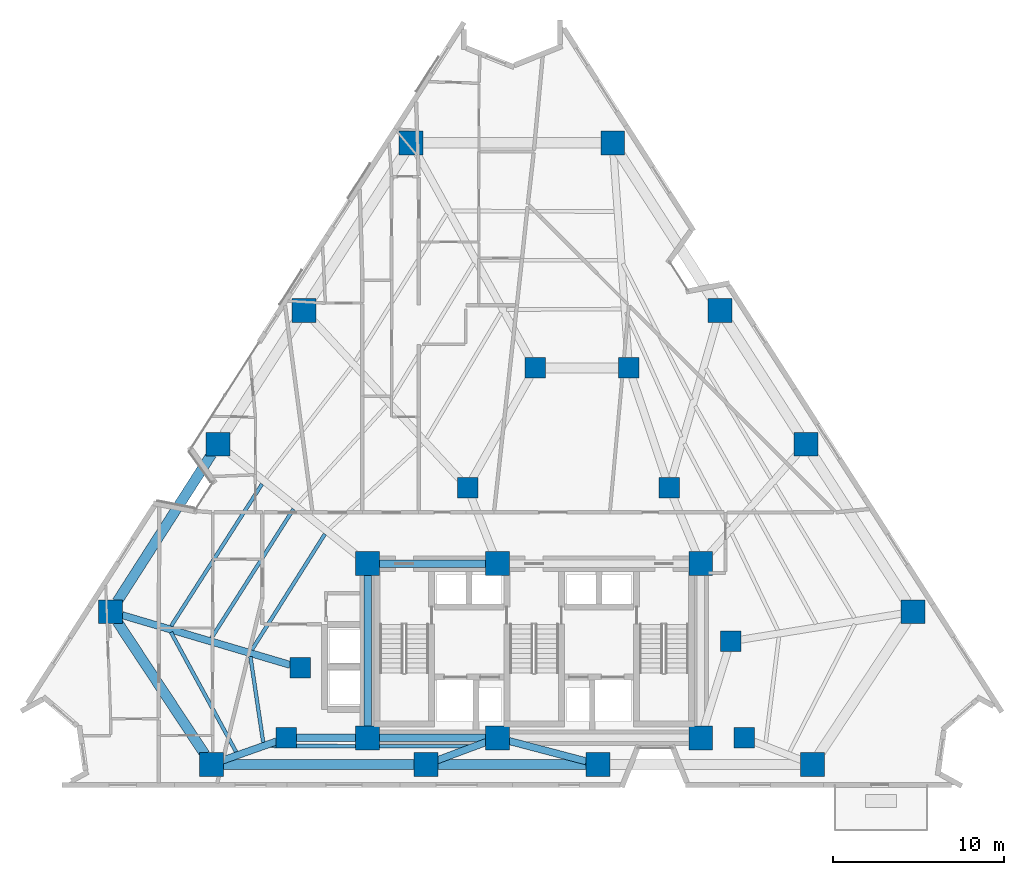
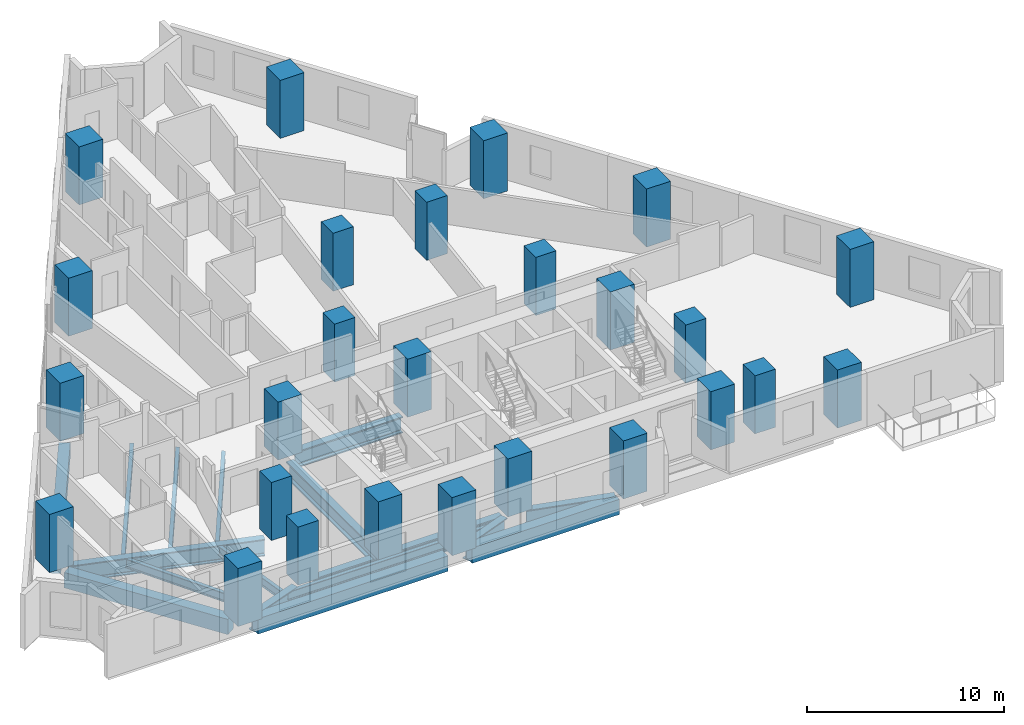
# One storey, part 1 of 13: 26 columns, 18 beams.
"""IFC4 building model written with IfcOpenShell, lengths in metres."""

import ifcopenshell
import ifcopenshell.guid

model = None  # the IFC model being written
_history = None  # IfcOwnerHistory: only IFC2X3 demands one
_inside = {}  # id of a spatial element -> (the spatial element, [elements in it])
_under = {}  # id of a project, library or spatial element -> (it, [spatial elements below it])
_declared = {}  # id of a project -> (the project, [libraries it declares])
_typed = {}  # id of a type object -> (the type object, [elements of that type])
_made_of = {}  # id of a material, layer set ... -> (it, [elements and type objects made of it])


def new_model(schema):
    """Start an empty IFC model of exactly this schema.

    Asked for "IFC4X3", IfcOpenShell would pick the latest addendum, in which some entities
    have other attributes; the version numbers below select the first issue.
    IFC2X3 requires an IfcOwnerHistory on every rooted entity: one is made here for all.
    """
    global model, _history
    if schema == "IFC4X3":
        model = ifcopenshell.file(schema_version=(4, 3, 0, 0))
    else:
        model = ifcopenshell.file(schema=schema)
    _inside.clear()
    _under.clear()
    _declared.clear()
    _typed.clear()
    _made_of.clear()
    _history = None
    if model.schema == "IFC2X3":
        org = make("IfcOrganization", Name="unknown")
        user = make(
            "IfcPersonAndOrganization",
            ThePerson=make("IfcPerson", FamilyName="unknown"),
            TheOrganization=org,
        )
        app = make(
            "IfcApplication",
            ApplicationDeveloper=org,
            Version="unknown",
            ApplicationFullName="unknown",
            ApplicationIdentifier="unknown",
        )
        _history = make(
            "IfcOwnerHistory",
            OwningUser=user,
            OwningApplication=app,
            ChangeAction="ADDED",
            CreationDate=0,
        )
    return model


def make(cls, **values):
    """One entity of the class cls with the attributes given. An attribute that is None is left unset."""
    return model.create_entity(
        cls, **{name: value for name, value in values.items() if value is not None}
    )


def rooted(cls, **values):
    """An entity with a GlobalId (a new one), such as an element, a storey or a relation."""
    return make(cls, GlobalId=ifcopenshell.guid.new(), OwnerHistory=_history, **values)


def si_unit(unit_type, name, prefix=None):
    """IfcSIUnit, for example si_unit("LENGTHUNIT", "METRE", prefix="MILLI")."""
    return make("IfcSIUnit", UnitType=unit_type, Prefix=prefix, Name=name)


def assignment(units):
    """IfcUnitAssignment: the units of a project."""
    return None if units is None else make("IfcUnitAssignment", Units=units)


def point(xyz):
    """IfcCartesianPoint."""
    return None if xyz is None else make("IfcCartesianPoint", Coordinates=xyz)


def direction(xyz):
    """IfcDirection."""
    return None if xyz is None else make("IfcDirection", DirectionRatios=xyz)


def frame(location, z_axis=None, x_axis=None):
    """IfcAxis2Placement3D, a coordinate frame: its origin and axes. An axis left out is left unset."""
    return make(
        "IfcAxis2Placement3D",
        Location=point(location),
        Axis=direction(z_axis),
        RefDirection=direction(x_axis),
    )


def frame_2d(location, x_axis=None):
    """IfcAxis2Placement2D, a coordinate frame in the plane: its origin and x axis."""
    return make(
        "IfcAxis2Placement2D", Location=point(location), RefDirection=direction(x_axis)
    )


def origin():
    """The frame at (0, 0, 0) with its axes left unset."""
    return frame((0.0, 0.0, 0.0))


def origin_2d():
    """The frame at (0, 0) in the plane with its x axis left unset."""
    return frame_2d((0.0, 0.0))


def place(relative_to, where):
    """IfcLocalPlacement: puts the frame where relative to a parent placement (None: the world)."""
    return make(
        "IfcLocalPlacement", PlacementRelTo=relative_to, RelativePlacement=where
    )


def context(
    kind, dimensions, precision=None, world=None, true_north=None, identifier=None
):
    """IfcGeometricRepresentationContext, for example the 3D "Model" context."""
    return make(
        "IfcGeometricRepresentationContext",
        ContextIdentifier=identifier,
        ContextType=kind,
        CoordinateSpaceDimension=dimensions,
        Precision=precision,
        WorldCoordinateSystem=world,
        TrueNorth=true_north,
    )


def subcontext(parent, identifier, kind, view, scale=None):
    """IfcGeometricRepresentationSubContext, for example "Body" below "Model"."""
    return make(
        "IfcGeometricRepresentationSubContext",
        ContextIdentifier=identifier,
        ContextType=kind,
        ParentContext=parent,
        TargetScale=scale,
        TargetView=view,
    )


def project(units=None, contexts=None):
    """IfcProject with its units and contexts."""
    return rooted(
        "IfcProject",
        Name="project",
        RepresentationContexts=contexts,
        UnitsInContext=assignment(units),
    )


def spatial(cls, under=None, at=None, **own):
    """A site, building, storey or space (cls), placed at a placement, below another one or the project."""
    s = rooted(cls, ObjectPlacement=at, **own)
    if under is not None:
        _under.setdefault(under.id(), (under, []))[1].append(s)
    return s


def profile(cls, at=None, kind="AREA", **sizes):
    """A parametric profile (cls). Its sizes go by their IFC names, for example OverallWidth=200.0."""
    return make(cls, ProfileType=kind, Position=at, **sizes)


def rectangle(**sizes):
    """IfcRectangleProfileDef."""
    return profile("IfcRectangleProfileDef", **sizes)


def i_section(**sizes):
    """IfcIShapeProfileDef."""
    return profile("IfcIShapeProfileDef", **sizes)


def extrude(swept, where, along, depth):
    """IfcExtrudedAreaSolid: the profile swept, set in the frame where, extruded along a direction by depth."""
    return make(
        "IfcExtrudedAreaSolid",
        SweptArea=swept,
        Position=where,
        ExtrudedDirection=direction(along),
        Depth=depth,
    )


def shape(context_of_items, identifier, shape_type, items):
    """IfcShapeRepresentation: the items that make up one representation, for example the "Body"."""
    return make(
        "IfcShapeRepresentation",
        ContextOfItems=context_of_items,
        RepresentationIdentifier=identifier,
        RepresentationType=shape_type,
        Items=items,
    )


def material(Name=None, Category=None):
    """IfcMaterial."""
    return make("IfcMaterial", Name=Name, Category=Category)


def material_profile(
    of_material, cross_section, Name=None, Category=None, Priority=None
):
    """IfcMaterialProfile: a cross section and its material."""
    return make(
        "IfcMaterialProfile",
        Name=Name,
        Material=of_material,
        Profile=cross_section,
        Priority=Priority,
        Category=Category,
    )


def profile_set(profiles, Name=None, composite=None):
    """IfcMaterialProfileSet."""
    return make(
        "IfcMaterialProfileSet",
        Name=Name,
        MaterialProfiles=profiles,
        CompositeProfile=composite,
    )


def made_of(thing, what):
    """Note that an element or type object is made of a material, layer set ...; save() writes the relation."""
    if what is not None:
        _made_of.setdefault(what.id(), (what, []))[1].append(thing)
    return thing


def type_object(cls, material=None, **own):
    """A type object (cls), such as IfcWallType, which elements share."""
    return made_of(rooted(cls, **own), material)


def element(
    cls,
    number,
    at=None,
    inside=None,
    cuts=None,
    type_object=None,
    material=None,
    context=None,
    identifier="Body",
    shape_type=None,
    held_by="IfcProductDefinitionShape",
    body=None,
    shapes=None,
    **own,
):
    """One element of the class cls, such as IfcWall. Its Tag is "e" and its number.

    at: its placement. inside: the storey or other place that contains it. cuts: it is an
    opening in that element (IfcRelVoidsElement). A single representation is given by context,
    identifier, shape_type and body (its items); several are given by shapes. held_by: the class
    of the entity that holds the representations. save() writes the other relations.
    """
    e = rooted(cls, Tag="e%d" % number, ObjectPlacement=at, **own)
    if body is not None:
        shapes = [shape(context, identifier, shape_type, body)]
    if shapes is not None:
        e.Representation = make(held_by, Representations=shapes)
    if inside is not None:
        _inside.setdefault(inside.id(), (inside, []))[1].append(e)
    if cuts is not None:
        rooted(
            "IfcRelVoidsElement", RelatingBuildingElement=cuts, RelatedOpeningElement=e
        )
    if type_object is not None:
        _typed.setdefault(type_object.id(), (type_object, []))[1].append(e)
    return made_of(e, material)


def aggregate(whole, parts):
    """IfcRelAggregates: a whole, such as a stair, and the parts it consists of."""
    return rooted("IfcRelAggregates", RelatingObject=whole, RelatedObjects=parts)


def save(model, path):
    """Write the relations noted so far, then the file.

    IfcRelAggregates (storeys below a building ...), IfcRelContainedInSpatialStructure (elements
    in a storey), IfcRelDefinesByType, IfcRelAssociatesMaterial and IfcRelDeclares: one each for
    every whole, place, type object, material and project.
    """
    for whole, parts in _under.values():
        aggregate(whole, parts)
    for where, things in _inside.values():
        rooted(
            "IfcRelContainedInSpatialStructure",
            RelatedElements=things,
            RelatingStructure=where,
        )
    for kind, things in _typed.values():
        rooted("IfcRelDefinesByType", RelatedObjects=things, RelatingType=kind)
    for what, things in _made_of.values():
        rooted("IfcRelAssociatesMaterial", RelatedObjects=things, RelatingMaterial=what)
    for by, libraries in _declared.values():
        rooted("IfcRelDeclares", RelatingContext=by, RelatedDefinitions=libraries)
    model.write(path)


model = new_model("IFC4")

# Units and contexts
model_context = context("Model", 3, precision=1e-05, world=origin(), true_north=direction((0.0, 1.0)))
body_context = subcontext(model_context, "Body", "Model", "MODEL_VIEW")
ifc_project = project(units=[si_unit("LENGTHUNIT", "METRE"), si_unit("AREAUNIT", "SQUARE_METRE"), si_unit("VOLUMEUNIT", "CUBIC_METRE"), si_unit("PLANEANGLEUNIT", "RADIAN"), si_unit("MASSUNIT", "GRAM", prefix="KILO")], contexts=[model_context])

# Site, building, storey
site_placement = place(None, origin())
site = spatial("IfcSite", under=ifc_project, at=site_placement, CompositionType="ELEMENT")
building_placement = place(site_placement, origin())
building = spatial("IfcBuilding", under=site, at=building_placement, Name="Almagre Mirador Tower", CompositionType="ELEMENT")
storey_placement = place(building_placement, frame((0.0, 0.0, 42.60009765625)))
storey = spatial("IfcBuildingStorey", under=building, at=storey_placement, Name="L09", CompositionType="ELEMENT", Elevation=42.60009765625)

# Columns
ifc_material_1 = material(Name="Concrete C60/75", Category="concrete")
ifc_material_profile_1 = material_profile(ifc_material_1, rectangle(XDim=1.199951171875, YDim=1.199951171875, at=origin_2d()), Name="RC1200X1200")
ifc_profile_set_1 = profile_set([ifc_material_profile_1], Name="Concrete C60/75")
column_type_1 = type_object("IfcColumnType", Name="COL-RC1200", PredefinedType="COLUMN", material=ifc_profile_set_1)
for number, where, z_axis, x_axis, name in (
    (1, (22.800048828125, 4.550048828125, 0.0), (0.0, 0.0, 1.0), (1.0, 0.0, 0.0), "L09 interior transfer column MC1"),
    (2, (49.60009765625, 4.550048828125, 0.0), (0.0, 0.0, 1.0), (1.0, 0.0, 0.0), "L09 interior transfer column MC2"),
    (3, (48.800048828125, 10.199951171875, 0.0), (0.0, 0.0, 1.0), (1.0, 0.0, 0.0), "L09 interior transfer column MC3"),
    (4, (45.199951171875, 19.199951171875, 0.0), (0.0, 0.0, 1.0), (1.0, 0.0, 0.0), "L09 interior transfer column MC5"),
    (5, (42.85009765625, 26.199951171875, 0.0), (0.0, 0.0, 1.0), (1.0, 0.0, 0.0), "L09 interior transfer column MC6"),
    (6, (37.35009765625, 26.199951171875, 0.0), (0.0, 0.0, 1.0), (1.0, 0.0, 0.0), "L09 interior transfer column MC7"),
    (7, (33.39990234375, 19.199951171875, 0.0), (0.0, 0.0, 1.0), (1.0, 0.0, 0.0), "L09 interior transfer column MC8"),
    (8, (23.60009765625, 8.64990234375, 0.0), (0.0, 0.0, 1.0), (1.0, 0.0, 0.0), "L09 interior transfer column MC10"),
):
    element("IfcColumn", number, at=place(storey_placement, frame(where, z_axis=z_axis, x_axis=x_axis)), inside=storey, type_object=column_type_1, Name=name, PredefinedType="COLUMN", context=body_context, shape_type="SweptSolid", body=[
        extrude(rectangle(XDim=1.199951171875, YDim=1.199951171875, at=origin_2d()), origin(), (0.0, 0.0, 1.0), 3.599853515625),
    ])
ifc_material_2 = material(Name="Concrete C60/75", Category="concrete")
ifc_material_profile_2 = material_profile(ifc_material_2, rectangle(XDim=1.39990234375, YDim=1.39990234375, at=origin_2d()), Name="RC1400X1400")
ifc_profile_set_2 = profile_set([ifc_material_profile_2], Name="Concrete C60/75")
column_type_2 = type_object("IfcColumnType", Name="COL-RC1400", PredefinedType="COLUMN", material=ifc_profile_set_2)
for number, where, z_axis, x_axis, name in (
    (9, (27.550048828125, 4.550048828125, 0.0), (0.0, 0.0, 1.0), (1.0, 0.0, 0.0), "L09 core spine column CC1"),
    (10, (35.14990234375, 4.550048828125, 0.0), (0.0, 0.0, 1.0), (1.0, 0.0, 0.0), "L09 core spine column CC2"),
    (11, (47.050048828125, 4.550048828125, 0.0), (0.0, 0.0, 1.0), (1.0, 0.0, 0.0), "L09 core spine column CC3"),
    (12, (27.550048828125, 14.75, 0.0), (0.0, 0.0, 1.0), (1.0, 0.0, 0.0), "L09 core spine column CC4"),
    (13, (35.14990234375, 14.75, 0.0), (0.0, 0.0, 1.0), (1.0, 0.0, 0.0), "L09 core spine column CC5"),
    (14, (47.050048828125, 14.75, 0.0), (0.0, 0.0, 1.0), (1.0, 0.0, 0.0), "L09 core spine column CC6"),
    (15, (18.416015625, 3.0, 0.0), (0.0, 0.0, 1.0), (1.0, 0.0, 0.0), "L09 perimeter column PC01"),
    (16, (30.97607421875, 3.0, 0.0), (0.0, 0.0, 1.0), (1.0, 0.0, 0.0), "L09 perimeter column PC02"),
    (17, (41.02392578125, 3.0, 0.0), (0.0, 0.0, 1.0), (1.0, 0.0, 0.0), "L09 perimeter column PC03"),
    (18, (53.583984375, 3.0, 0.0), (0.0, 0.0, 1.0), (1.0, 0.0, 0.0), "L09 perimeter column PC04"),
    (19, (59.48193359375, 11.93310546875, 0.0), (0.0, 0.0, 1.0), (1.0, 0.0, 0.0), "L09 perimeter column PC05"),
    (20, (53.201904296875, 21.73291015625, 0.0), (0.0, 0.0, 1.0), (1.0, 0.0, 0.0), "L09 perimeter column PC06"),
    (21, (48.177978515625, 29.572998046875, 0.0), (0.0, 0.0, 1.0), (1.0, 0.0, 0.0), "L09 perimeter column PC07"),
    (22, (41.89794921875, 39.373046875, 0.0), (0.0, 0.0, 1.0), (1.0, 0.0, 0.0), "L09 perimeter column PC08"),
    (23, (30.10205078125, 39.373046875, 0.0), (0.0, 0.0, 1.0), (1.0, 0.0, 0.0), "L09 perimeter column PC09"),
    (24, (23.822021484375, 29.572998046875, 0.0), (0.0, 0.0, 1.0), (1.0, 0.0, 0.0), "L09 perimeter column PC10"),
    (25, (18.798095703125, 21.73291015625, 0.0), (0.0, 0.0, 1.0), (1.0, 0.0, 0.0), "L09 perimeter column PC11"),
    (26, (12.51806640625, 11.93310546875, 0.0), (0.0, 0.0, 1.0), (1.0, 0.0, 0.0), "L09 perimeter column PC12"),
):
    element("IfcColumn", number, at=place(storey_placement, frame(where, z_axis=z_axis, x_axis=x_axis)), inside=storey, type_object=column_type_2, Name=name, PredefinedType="COLUMN", context=body_context, shape_type="SweptSolid", body=[
        extrude(rectangle(XDim=1.39990234375, YDim=1.39990234375, at=origin_2d()), origin(), (0.0, 0.0, 1.0), 3.599853515625),
    ])

# Beams
ifc_material_3 = material(Name="Steel ASTM A992 Grade 50", Category="steel")
ifc_material_profile_3 = material_profile(ifc_material_3, i_section(OverallWidth=0.214111328125, OverallDepth=0.549072265625, WebThickness=0.0146484375, FlangeThickness=0.023681640625, FilletRadius=0.01806640625, at=origin_2d()), Name="W21X93")
ifc_profile_set_3 = profile_set([ifc_material_profile_3], Name="Steel ASTM A992 Grade 50")
beam_type_1 = type_object("IfcBeamType", Name="BM-JST-W21X93", PredefinedType="JOIST", material=ifc_profile_set_3)
beam_1_placement = place(storey_placement, frame((21.685791015625, 4.08154296875, -0.524658203125), z_axis=(0.999996873734, -0.002500504583, 0.0), x_axis=(0.002500504583, 0.999996873734, 0.0)))
element("IfcBeam", 27, at=beam_1_placement, inside=storey, type_object=beam_type_1, Name="L09 secondary floor joist PC01-PC02.3", PredefinedType="JOIST", context=body_context, shape_type="SweptSolid", body=[
    extrude(i_section(OverallWidth=0.214111328125, OverallDepth=0.549072265625, WebThickness=0.0146484375, FlangeThickness=0.023681640625, FilletRadius=0.01806640625, at=origin_2d()), origin(), (0.0, 0.0, 1.0), 11.91162109375),
])
beam_2_placement = place(storey_placement, frame((21.37646484375, 19.4091796875, -0.524658203125), z_axis=(-0.538986317029, -0.842314519675, 0.0), x_axis=(0.842314519675, -0.538986317029, 0.0)))
element("IfcBeam", 28, at=beam_2_placement, inside=storey, type_object=beam_type_1, Name="L09 secondary floor joist PC11-PC12.1", PredefinedType="JOIST", context=body_context, shape_type="SweptSolid", body=[
    extrude(i_section(OverallWidth=0.214111328125, OverallDepth=0.549072265625, WebThickness=0.0146484375, FlangeThickness=0.023681640625, FilletRadius=0.01806640625, at=origin_2d()), origin(), (0.0, 0.0, 1.0), 9.870849609375),
])
beam_3_placement = place(storey_placement, frame((23.214599609375, 17.9423828125, -0.524658203125), z_axis=(-0.536571630026, -0.843854777702, 0.0), x_axis=(0.843854777702, -0.536571630026, 0.0)))
element("IfcBeam", 29, at=beam_3_placement, inside=storey, type_object=beam_type_1, Name="L09 secondary floor joist PC11-PC12.2", PredefinedType="JOIST", context=body_context, shape_type="SweptSolid", body=[
    extrude(i_section(OverallWidth=0.214111328125, OverallDepth=0.549072265625, WebThickness=0.0146484375, FlangeThickness=0.023681640625, FilletRadius=0.01806640625, at=origin_2d()), origin(), (0.0, 0.0, 1.0), 8.943115234375),
])
beam_4_placement = place(storey_placement, frame((25.05322265625, 16.475830078125, -0.524658203125), z_axis=(-0.533635401408, -0.845714643579, 0.0), x_axis=(0.845714643579, -0.533635401408, 0.0)))
element("IfcBeam", 30, at=beam_4_placement, inside=storey, type_object=beam_type_1, Name="L09 secondary floor joist PC11-PC12.3", PredefinedType="JOIST", context=body_context, shape_type="SweptSolid", body=[
    extrude(i_section(OverallWidth=0.214111328125, OverallDepth=0.549072265625, WebThickness=0.0146484375, FlangeThickness=0.023681640625, FilletRadius=0.01806640625, at=origin_2d()), origin(), (0.0, 0.0, 1.0), 8.015380859375),
])
beam_5_placement = place(storey_placement, frame((16.04345703125, 10.734375, -0.524658203125), z_axis=(0.478472525454, -0.878102523846, 0.0), x_axis=(0.878102523846, 0.478472525454, 0.0)))
element("IfcBeam", 31, at=beam_5_placement, inside=storey, type_object=beam_type_1, Name="L09 secondary floor joist PC12-PC01.1", PredefinedType="JOIST", context=body_context, shape_type="SweptSolid", body=[
    extrude(i_section(OverallWidth=0.214111328125, OverallDepth=0.549072265625, WebThickness=0.0146484375, FlangeThickness=0.023681640625, FilletRadius=0.01806640625, at=origin_2d()), origin(), (0.0, 0.0, 1.0), 7.976806640625),
])
beam_6_placement = place(storey_placement, frame((20.695068359375, 9.3125, -0.524658203125), z_axis=(0.147717518236, -0.989029592483, 0.0), x_axis=(0.989029592483, 0.147717518236, 0.0)))
element("IfcBeam", 32, at=beam_6_placement, inside=storey, type_object=beam_type_1, Name="L09 secondary floor joist PC12-PC01.3", PredefinedType="JOIST", context=body_context, shape_type="SweptSolid", body=[
    extrude(i_section(OverallWidth=0.214111328125, OverallDepth=0.549072265625, WebThickness=0.0146484375, FlangeThickness=0.023681640625, FilletRadius=0.01806640625, at=origin_2d()), origin(), (0.0, 0.0, 1.0), 5.078857421875),
])
ifc_material_4 = material(Name="Precast concrete C50/60", Category="concrete")
ifc_material_profile_4 = material_profile(ifc_material_4, rectangle(XDim=0.60009765625, YDim=0.949951171875, at=origin_2d()), Name="RC600X950")
ifc_profile_set_4 = profile_set([ifc_material_profile_4], Name="Precast concrete C50/60")
beam_type_2 = type_object("IfcBeamType", Name="BM-SPN-RC600X950", PredefinedType="SPANDREL", material=ifc_profile_set_4)
beam_7_placement = place(storey_placement, frame((19.115966796875, 3.0, -0.72509765625), z_axis=(1.0, 0.0, 0.0), x_axis=(0.0, 1.0, 0.0)))
element("IfcBeam", 33, at=beam_7_placement, inside=storey, type_object=beam_type_2, Name="L09 perimeter spandrel beam PC01-PC02", PredefinedType="SPANDREL", context=body_context, shape_type="SweptSolid", body=[
    extrude(rectangle(XDim=0.60009765625, YDim=0.949951171875, at=origin_2d()), origin(), (0.0, 0.0, 1.0), 11.159912109375),
])
beam_8_placement = place(storey_placement, frame((31.676025390625, 3.0, -0.72509765625), z_axis=(1.0, 0.0, 0.0), x_axis=(0.0, 1.0, 0.0)))
element("IfcBeam", 34, at=beam_8_placement, inside=storey, type_object=beam_type_2, Name="L09 perimeter spandrel beam PC02-PC03", PredefinedType="SPANDREL", context=body_context, shape_type="SweptSolid", body=[
    extrude(rectangle(XDim=0.60009765625, YDim=0.949951171875, at=origin_2d()), origin(), (0.0, 0.0, 1.0), 8.64794921875),
])
beam_9_placement = place(storey_placement, frame((18.42041015625, 21.1435546875, -0.72509765625), z_axis=(-0.539549548581, -0.841953849463, 0.0), x_axis=(0.841953849463, -0.539549548581, 0.0)))
element("IfcBeam", 35, at=beam_9_placement, inside=storey, type_object=beam_type_2, Name="L09 perimeter spandrel beam PC11-PC12", PredefinedType="SPANDREL", context=body_context, shape_type="SweptSolid", body=[
    extrude(rectangle(XDim=0.60009765625, YDim=0.949951171875, at=origin_2d()), origin(), (0.0, 0.0, 1.0), 10.239501953125),
])
beam_10_placement = place(storey_placement, frame((12.90380859375, 11.348876953125, -0.72509765625), z_axis=(0.550976725149, -0.834520609898, 0.0), x_axis=(0.834520609898, 0.550976725149, 0.0)))
element("IfcBeam", 36, at=beam_10_placement, inside=storey, type_object=beam_type_2, Name="L09 perimeter spandrel beam PC12-PC01", PredefinedType="SPANDREL", context=body_context, shape_type="SweptSolid", body=[
    extrude(rectangle(XDim=0.60009765625, YDim=0.949951171875, at=origin_2d()), origin(), (0.0, 0.0, 1.0), 9.304443359375),
])
ifc_material_5 = material(Name="Steel ASTM A992 Grade 50", Category="steel")
ifc_material_profile_5 = material_profile(ifc_material_5, i_section(OverallWidth=0.43701171875, OverallDepth=1.010986328125, WebThickness=0.041015625, FlangeThickness=0.073974609375, FilletRadius=0.028076171875, at=origin_2d()), Name="W36X529")
ifc_profile_set_5 = profile_set([ifc_material_profile_5], Name="Steel ASTM A992 Grade 50")
beam_type_3 = type_object("IfcBeamType", Name="BM-STL-W36X529", PredefinedType="BEAM", material=ifc_profile_set_5)
for number, where, z_axis, x_axis, name in (
    (37, (28.25, 4.550048828125, -0.755615234375), (1.0, 0.0, 0.0), (0.0, 1.0, 0.0), "L09 core tie girder CC1-CC2"),
    (38, (28.25, 14.75, -0.755615234375), (1.0, 0.0, 0.0), (0.0, 1.0, 0.0), "L09 core tie girder CC4-CC5"),
):
    element("IfcBeam", number, at=place(storey_placement, frame(where, z_axis=z_axis, x_axis=x_axis)), inside=storey, type_object=beam_type_3, Name=name, PredefinedType="BEAM", context=body_context, shape_type="SweptSolid", body=[
        extrude(i_section(OverallWidth=0.43701171875, OverallDepth=1.010986328125, WebThickness=0.041015625, FlangeThickness=0.073974609375, FilletRadius=0.028076171875, at=origin_2d()), origin(), (0.0, 0.0, 1.0), 6.199951171875),
    ])
beam_11_placement = place(storey_placement, frame((27.550048828125, 5.25, -0.755615234375), z_axis=(0.0, 1.0, 0.0), x_axis=(-1.0, 0.0, 0.0)))
element("IfcBeam", 39, at=beam_11_placement, inside=storey, type_object=beam_type_3, Name="L09 core tie girder CC1-CC4", PredefinedType="BEAM", context=body_context, shape_type="SweptSolid", body=[
    extrude(i_section(OverallWidth=0.43701171875, OverallDepth=1.010986328125, WebThickness=0.041015625, FlangeThickness=0.073974609375, FilletRadius=0.028076171875, at=origin_2d()), origin(), (0.0, 0.0, 1.0), 8.800048828125),
])
beam_12_placement = place(storey_placement, frame((23.39990234375, 4.550048828125, -0.755615234375), z_axis=(1.0, 0.0, 0.0), x_axis=(0.0, 1.0, 0.0)))
element("IfcBeam", 40, at=beam_12_placement, inside=storey, type_object=beam_type_3, Name="L09 core tie girder MC1-CC1", PredefinedType="BEAM", context=body_context, shape_type="SweptSolid", body=[
    extrude(i_section(OverallWidth=0.43701171875, OverallDepth=1.010986328125, WebThickness=0.041015625, FlangeThickness=0.073974609375, FilletRadius=0.028076171875, at=origin_2d()), origin(), (0.0, 0.0, 1.0), 3.4501953125),
])
ifc_material_6 = material(Name="Steel ASTM A913 Grade 65", Category="steel")
ifc_material_profile_6 = material_profile(ifc_material_6, i_section(OverallWidth=0.4189453125, OverallDepth=1.041015625, WebThickness=0.031005859375, FlangeThickness=0.055908203125, FilletRadius=0.030029296875, at=origin_2d()), Name="W40X397")
ifc_profile_set_6 = profile_set([ifc_material_profile_6], Name="Steel ASTM A913 Grade 65")
beam_type_4 = type_object("IfcBeamType", Name="BM-STL-W40X397", PredefinedType="BEAM", material=ifc_profile_set_6)
beam_13_placement = place(storey_placement, frame((19.075927734375, 3.2333984375, -0.7705078125), z_axis=(0.942807214234, 0.333338501809, 0.0), x_axis=(-0.333338501809, 0.942807214234, 0.0)))
element("IfcBeam", 41, at=beam_13_placement, inside=storey, type_object=beam_type_4, Name="L09 radial floor girder PC01-MC1", PredefinedType="BEAM", context=body_context, shape_type="SweptSolid", body=[
    extrude(i_section(OverallWidth=0.4189453125, OverallDepth=1.041015625, WebThickness=0.031005859375, FlangeThickness=0.055908203125, FilletRadius=0.030029296875, at=origin_2d()), origin(), (0.0, 0.0, 1.0), 3.35009765625),
])
beam_14_placement = place(storey_placement, frame((31.632080078125, 3.24365234375, -0.7705078125), z_axis=(0.937448389948, 0.348124282669, 0.0), x_axis=(-0.348124282669, 0.937448389948, 0.0)))
element("IfcBeam", 42, at=beam_14_placement, inside=storey, type_object=beam_type_4, Name="L09 radial floor girder PC02-CC2", PredefinedType="BEAM", context=body_context, shape_type="SweptSolid", body=[
    extrude(i_section(OverallWidth=0.4189453125, OverallDepth=1.041015625, WebThickness=0.031005859375, FlangeThickness=0.055908203125, FilletRadius=0.030029296875, at=origin_2d()), origin(), (0.0, 0.0, 1.0), 3.052734375),
])
beam_15_placement = place(storey_placement, frame((40.34716796875, 3.1787109375, -0.7705078125), z_axis=(-0.966911988655, 0.255110184422, 0.0), x_axis=(-0.255110184422, -0.966911988655, 0.0)))
element("IfcBeam", 43, at=beam_15_placement, inside=storey, type_object=beam_type_4, Name="L09 radial floor girder PC03-CC2", PredefinedType="BEAM", context=body_context, shape_type="SweptSolid", body=[
    extrude(i_section(OverallWidth=0.4189453125, OverallDepth=1.041015625, WebThickness=0.031005859375, FlangeThickness=0.055908203125, FilletRadius=0.030029296875, at=origin_2d()), origin(), (0.0, 0.0, 1.0), 4.675048828125),
])
beam_16_placement = place(storey_placement, frame((13.189208984375, 11.734130859375, -0.7705078125), z_axis=(0.958808436431, -0.284053484804, 0.0), x_axis=(0.284053484804, 0.958808436431, 0.0)))
element("IfcBeam", 44, at=beam_16_placement, inside=storey, type_object=beam_type_4, Name="L09 radial floor girder PC12-MC10", PredefinedType="BEAM", context=body_context, shape_type="SweptSolid", body=[
    extrude(i_section(OverallWidth=0.4189453125, OverallDepth=1.041015625, WebThickness=0.031005859375, FlangeThickness=0.055908203125, FilletRadius=0.030029296875, at=origin_2d()), origin(), (0.0, 0.0, 1.0), 10.258056640625),
])

save(model, "model.ifc")
